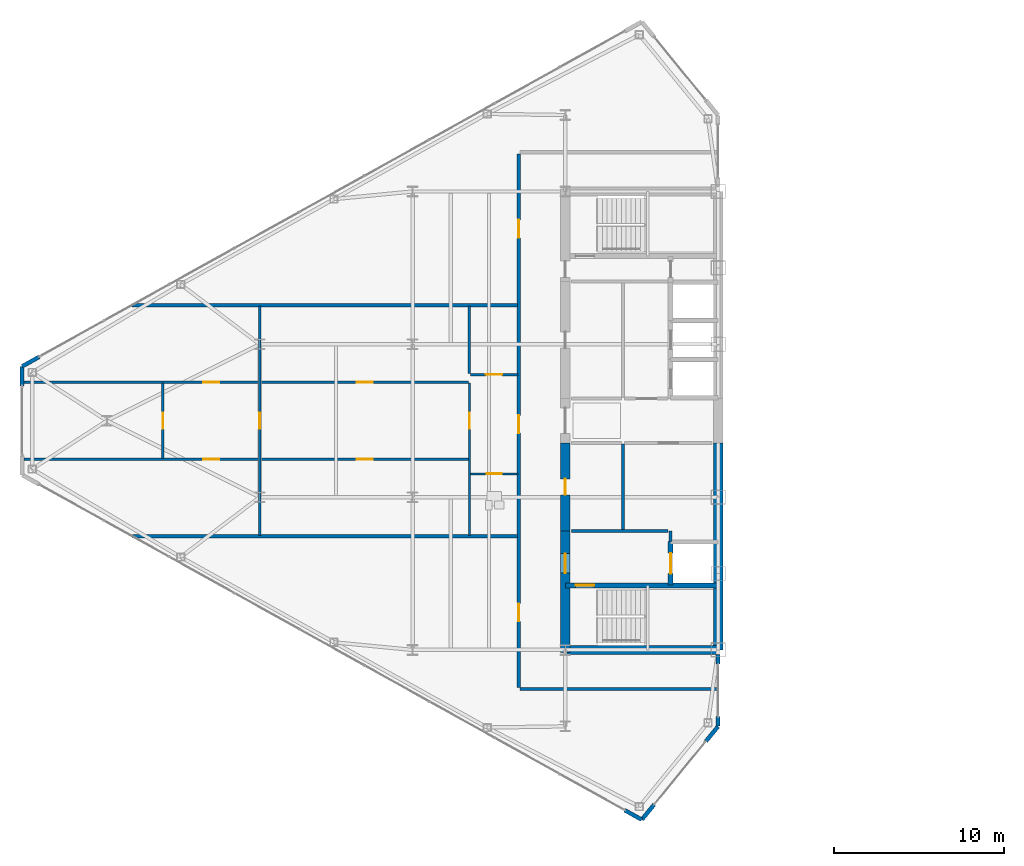
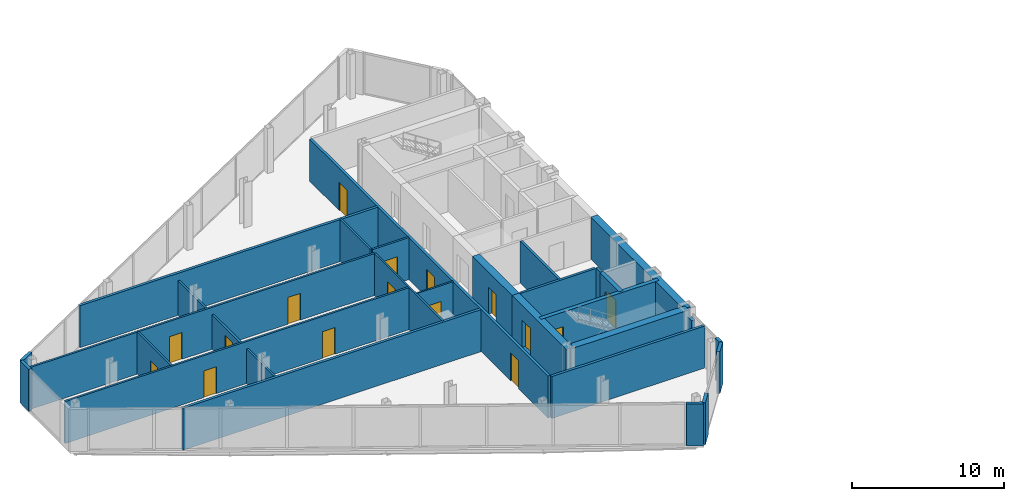
# One storey, part 19 of 25: 28 walls, 16 doors, 16 openings.
"""IFC4 building model written with IfcOpenShell, lengths in metres."""

import ifcopenshell
import ifcopenshell.guid

model = None  # the IFC model being written
_history = None  # IfcOwnerHistory: only IFC2X3 demands one
_inside = {}  # id of a spatial element -> (the spatial element, [elements in it])
_under = {}  # id of a project, library or spatial element -> (it, [spatial elements below it])
_declared = {}  # id of a project -> (the project, [libraries it declares])
_typed = {}  # id of a type object -> (the type object, [elements of that type])
_made_of = {}  # id of a material, layer set ... -> (it, [elements and type objects made of it])


def new_model(schema):
    """Start an empty IFC model of exactly this schema.

    Asked for "IFC4X3", IfcOpenShell would pick the latest addendum, in which some entities
    have other attributes; the version numbers below select the first issue.
    IFC2X3 requires an IfcOwnerHistory on every rooted entity: one is made here for all.
    """
    global model, _history
    if schema == "IFC4X3":
        model = ifcopenshell.file(schema_version=(4, 3, 0, 0))
    else:
        model = ifcopenshell.file(schema=schema)
    _inside.clear()
    _under.clear()
    _declared.clear()
    _typed.clear()
    _made_of.clear()
    _history = None
    if model.schema == "IFC2X3":
        org = make("IfcOrganization", Name="unknown")
        user = make(
            "IfcPersonAndOrganization",
            ThePerson=make("IfcPerson", FamilyName="unknown"),
            TheOrganization=org,
        )
        app = make(
            "IfcApplication",
            ApplicationDeveloper=org,
            Version="unknown",
            ApplicationFullName="unknown",
            ApplicationIdentifier="unknown",
        )
        _history = make(
            "IfcOwnerHistory",
            OwningUser=user,
            OwningApplication=app,
            ChangeAction="ADDED",
            CreationDate=0,
        )
    return model


def make(cls, **values):
    """One entity of the class cls with the attributes given. An attribute that is None is left unset."""
    return model.create_entity(
        cls, **{name: value for name, value in values.items() if value is not None}
    )


def rooted(cls, **values):
    """An entity with a GlobalId (a new one), such as an element, a storey or a relation."""
    return make(cls, GlobalId=ifcopenshell.guid.new(), OwnerHistory=_history, **values)


def si_unit(unit_type, name, prefix=None):
    """IfcSIUnit, for example si_unit("LENGTHUNIT", "METRE", prefix="MILLI")."""
    return make("IfcSIUnit", UnitType=unit_type, Prefix=prefix, Name=name)


def assignment(units):
    """IfcUnitAssignment: the units of a project."""
    return None if units is None else make("IfcUnitAssignment", Units=units)


def point(xyz):
    """IfcCartesianPoint."""
    return None if xyz is None else make("IfcCartesianPoint", Coordinates=xyz)


def direction(xyz):
    """IfcDirection."""
    return None if xyz is None else make("IfcDirection", DirectionRatios=xyz)


def frame(location, z_axis=None, x_axis=None):
    """IfcAxis2Placement3D, a coordinate frame: its origin and axes. An axis left out is left unset."""
    return make(
        "IfcAxis2Placement3D",
        Location=point(location),
        Axis=direction(z_axis),
        RefDirection=direction(x_axis),
    )


def frame_2d(location, x_axis=None):
    """IfcAxis2Placement2D, a coordinate frame in the plane: its origin and x axis."""
    return make(
        "IfcAxis2Placement2D", Location=point(location), RefDirection=direction(x_axis)
    )


def origin():
    """The frame at (0, 0, 0) with its axes left unset."""
    return frame((0.0, 0.0, 0.0))


def place(relative_to, where):
    """IfcLocalPlacement: puts the frame where relative to a parent placement (None: the world)."""
    return make(
        "IfcLocalPlacement", PlacementRelTo=relative_to, RelativePlacement=where
    )


def context(
    kind, dimensions, precision=None, world=None, true_north=None, identifier=None
):
    """IfcGeometricRepresentationContext, for example the 3D "Model" context."""
    return make(
        "IfcGeometricRepresentationContext",
        ContextIdentifier=identifier,
        ContextType=kind,
        CoordinateSpaceDimension=dimensions,
        Precision=precision,
        WorldCoordinateSystem=world,
        TrueNorth=true_north,
    )


def subcontext(parent, identifier, kind, view, scale=None):
    """IfcGeometricRepresentationSubContext, for example "Body" below "Model"."""
    return make(
        "IfcGeometricRepresentationSubContext",
        ContextIdentifier=identifier,
        ContextType=kind,
        ParentContext=parent,
        TargetScale=scale,
        TargetView=view,
    )


def project(units=None, contexts=None):
    """IfcProject with its units and contexts."""
    return rooted(
        "IfcProject",
        Name="project",
        RepresentationContexts=contexts,
        UnitsInContext=assignment(units),
    )


def spatial(cls, under=None, at=None, **own):
    """A site, building, storey or space (cls), placed at a placement, below another one or the project."""
    s = rooted(cls, ObjectPlacement=at, **own)
    if under is not None:
        _under.setdefault(under.id(), (under, []))[1].append(s)
    return s


def profile(cls, at=None, kind="AREA", **sizes):
    """A parametric profile (cls). Its sizes go by their IFC names, for example OverallWidth=200.0."""
    return make(cls, ProfileType=kind, Position=at, **sizes)


def rectangle(**sizes):
    """IfcRectangleProfileDef."""
    return profile("IfcRectangleProfileDef", **sizes)


def extrude(swept, where, along, depth):
    """IfcExtrudedAreaSolid: the profile swept, set in the frame where, extruded along a direction by depth."""
    return make(
        "IfcExtrudedAreaSolid",
        SweptArea=swept,
        Position=where,
        ExtrudedDirection=direction(along),
        Depth=depth,
    )


def shape(context_of_items, identifier, shape_type, items):
    """IfcShapeRepresentation: the items that make up one representation, for example the "Body"."""
    return make(
        "IfcShapeRepresentation",
        ContextOfItems=context_of_items,
        RepresentationIdentifier=identifier,
        RepresentationType=shape_type,
        Items=items,
    )


def source(mapping_origin, context_of_items, identifier, shape_type, items):
    """IfcRepresentationMap: a shape defined once, which mapped items show again and again."""
    return make(
        "IfcRepresentationMap",
        MappingOrigin=mapping_origin,
        MappedRepresentation=shape(context_of_items, identifier, shape_type, items),
    )


def transform(
    local_origin,
    x_axis=None,
    y_axis=None,
    z_axis=None,
    scale=None,
    scale2=None,
    scale3=None,
    uniform=True,
):
    """IfcCartesianTransformationOperator3D, or its non-uniform kind. x_axis, y_axis, z_axis: its Axis1, 2, 3."""
    if uniform:
        return make(
            "IfcCartesianTransformationOperator3D",
            Axis1=direction(x_axis),
            Axis2=direction(y_axis),
            LocalOrigin=point(local_origin),
            Scale=scale,
            Axis3=direction(z_axis),
        )
    return make(
        "IfcCartesianTransformationOperator3DnonUniform",
        Axis1=direction(x_axis),
        Axis2=direction(y_axis),
        LocalOrigin=point(local_origin),
        Scale=scale,
        Axis3=direction(z_axis),
        Scale2=scale2,
        Scale3=scale3,
    )


def mapped(mapping_source, mapping_target):
    """IfcMappedItem: shows the shape of a source again, moved by a transform."""
    return make(
        "IfcMappedItem", MappingSource=mapping_source, MappingTarget=mapping_target
    )


def material(Name=None, Category=None):
    """IfcMaterial."""
    return make("IfcMaterial", Name=Name, Category=Category)


def layer(
    of_material, thickness, ventilated=None, Name=None, Category=None, Priority=None
):
    """IfcMaterialLayer: one layer of a wall or slab, of a material (None: an air gap)."""
    return make(
        "IfcMaterialLayer",
        Material=of_material,
        LayerThickness=thickness,
        IsVentilated=ventilated,
        Name=Name,
        Category=Category,
        Priority=Priority,
    )


def layer_set(layers, Name=None):
    """IfcMaterialLayerSet."""
    return make("IfcMaterialLayerSet", MaterialLayers=layers, LayerSetName=Name)


def made_of(thing, what):
    """Note that an element or type object is made of a material, layer set ...; save() writes the relation."""
    if what is not None:
        _made_of.setdefault(what.id(), (what, []))[1].append(thing)
    return thing


def type_object(cls, material=None, **own):
    """A type object (cls), such as IfcWallType, which elements share."""
    return made_of(rooted(cls, **own), material)


def type_shapes(of_type, sources):
    """Give a type object the sources (RepresentationMaps) that its elements show as mapped items."""
    of_type.RepresentationMaps = sources


def element(
    cls,
    number,
    at=None,
    inside=None,
    cuts=None,
    type_object=None,
    material=None,
    context=None,
    identifier="Body",
    shape_type=None,
    held_by="IfcProductDefinitionShape",
    body=None,
    shapes=None,
    **own,
):
    """One element of the class cls, such as IfcWall. Its Tag is "e" and its number.

    at: its placement. inside: the storey or other place that contains it. cuts: it is an
    opening in that element (IfcRelVoidsElement). A single representation is given by context,
    identifier, shape_type and body (its items); several are given by shapes. held_by: the class
    of the entity that holds the representations. save() writes the other relations.
    """
    e = rooted(cls, Tag="e%d" % number, ObjectPlacement=at, **own)
    if body is not None:
        shapes = [shape(context, identifier, shape_type, body)]
    if shapes is not None:
        e.Representation = make(held_by, Representations=shapes)
    if inside is not None:
        _inside.setdefault(inside.id(), (inside, []))[1].append(e)
    if cuts is not None:
        rooted(
            "IfcRelVoidsElement", RelatingBuildingElement=cuts, RelatedOpeningElement=e
        )
    if type_object is not None:
        _typed.setdefault(type_object.id(), (type_object, []))[1].append(e)
    return made_of(e, material)


def fill(opening, filler):
    """IfcRelFillsElement: the door or window that sits in an opening."""
    return rooted(
        "IfcRelFillsElement",
        RelatingOpeningElement=opening,
        RelatedBuildingElement=filler,
    )


def aggregate(whole, parts):
    """IfcRelAggregates: a whole, such as a stair, and the parts it consists of."""
    return rooted("IfcRelAggregates", RelatingObject=whole, RelatedObjects=parts)


def save(model, path):
    """Write the relations noted so far, then the file.

    IfcRelAggregates (storeys below a building ...), IfcRelContainedInSpatialStructure (elements
    in a storey), IfcRelDefinesByType, IfcRelAssociatesMaterial and IfcRelDeclares: one each for
    every whole, place, type object, material and project.
    """
    for whole, parts in _under.values():
        aggregate(whole, parts)
    for where, things in _inside.values():
        rooted(
            "IfcRelContainedInSpatialStructure",
            RelatedElements=things,
            RelatingStructure=where,
        )
    for kind, things in _typed.values():
        rooted("IfcRelDefinesByType", RelatedObjects=things, RelatingType=kind)
    for what, things in _made_of.values():
        rooted("IfcRelAssociatesMaterial", RelatedObjects=things, RelatingMaterial=what)
    for by, libraries in _declared.values():
        rooted("IfcRelDeclares", RelatingContext=by, RelatedDefinitions=libraries)
    model.write(path)


model = new_model("IFC4")

# Units and contexts
model_context = context("Model", 3, precision=1e-05, world=origin(), true_north=direction((0.0, 1.0)))
body_context = subcontext(model_context, "Body", "Model", "MODEL_VIEW")
ifc_project = project(units=[si_unit("LENGTHUNIT", "METRE"), si_unit("AREAUNIT", "SQUARE_METRE"), si_unit("VOLUMEUNIT", "CUBIC_METRE"), si_unit("PLANEANGLEUNIT", "RADIAN"), si_unit("MASSUNIT", "GRAM", prefix="KILO")], contexts=[model_context])

# Site, building, storey
site_placement = place(None, origin())
site = spatial("IfcSite", under=ifc_project, at=site_placement, CompositionType="ELEMENT")
building_placement = place(site_placement, origin())
building = spatial("IfcBuilding", under=site, at=building_placement, Name="Seokmaru Belvedere", CompositionType="ELEMENT")
storey_placement = place(building_placement, frame((0.0, 0.0, 188.699951171875)))
storey = spatial("IfcBuildingStorey", under=building, at=storey_placement, Name="L50", CompositionType="ELEMENT", Elevation=188.699951171875)

# Wall, openings, doors
ifc_material_1 = material(Name="Fire-Rated Gypsum Shaftwall")
ifc_layer_1 = layer(ifc_material_1, 0.14990234375)
ifc_layer_set_1 = layer_set([ifc_layer_1], Name="Fire-Rated Gypsum Shaftwall")
wall_type_1 = type_object("IfcWallType", Name="Apartment Fire-Acoustic Room Partition 150", PredefinedType="PARTITIONING", material=ifc_layer_set_1)
wall_1_placement = place(storey_placement, frame((-68.375, -2.27001953125, 0.0), z_axis=(0.0, 0.0, 1.0), x_axis=(1.0, 0.0, 0.0)))
wall_1 = element("IfcWall", 1, at=wall_1_placement, inside=storey, type_object=wall_type_1, Name="L50 Interior Partition 008", PredefinedType="PARTITIONING", context=body_context, shape_type="SweptSolid", body=[
    extrude(rectangle(XDim=26.175048828125, YDim=0.14990234375, at=frame_2d((13.08740234375, 0.0))), origin(), (0.0, 0.0, 1.0), 3.380126953125),
])
opening_1_placement = place(wall_1_placement, frame((19.574951171875, 0.0, 0.0)))
opening_1 = element("IfcOpeningElement", 2, at=opening_1_placement, cuts=wall_1, Name="Opening D05", PredefinedType="OPENING", context=body_context, shape_type="SweptSolid", body=[
    extrude(rectangle(XDim=0.949951171875, YDim=2.14990234375, at=frame_2d((0.47509765625, 1.074951171875))), frame((0.0, 0.0849609375, 0.0), z_axis=(0.0, -1.0, 0.0), x_axis=(1.0, 0.0, 0.0)), (0.0, 0.0, 1.0), 0.169921875),
])
opening_2_placement = place(wall_1_placement, frame((10.550048828125, 0.0, 0.0)))
opening_2 = element("IfcOpeningElement", 3, at=opening_2_placement, cuts=wall_1, Name="Opening D05", PredefinedType="OPENING", context=body_context, shape_type="SweptSolid", body=[
    extrude(rectangle(XDim=0.949951171875, YDim=2.14990234375, at=frame_2d((0.47509765625, 1.074951171875))), frame((0.0, 0.0849609375, 0.0), z_axis=(0.0, -1.0, 0.0), x_axis=(1.0, 0.0, 0.0)), (0.0, 0.0, 1.0), 0.169921875),
])
ifc_material_2 = material(Name="Engineered White Oak Timber", Category="wood")
door_type_1 = type_object("IfcDoorType", Name="Apartment Interior Fire-Rated Oak Door 950x2150", OperationType="NOTDEFINED", PredefinedType="DOOR", material=ifc_material_2)
shared_shape_1 = source(origin(), body_context, "Body", "SweptSolid", [
    extrude(rectangle(XDim=0.949951171875, YDim=2.14990234375, at=frame_2d((0.47509765625, 1.074951171875))), frame((0.0, 0.02490234375, 0.0), z_axis=(0.0, -1.0, 0.0), x_axis=(1.0, 0.0, 0.0)), (0.0, 0.0, 1.0), 0.050048828125),
])
type_shapes(door_type_1, [shared_shape_1])
door_1_placement = place(opening_1_placement, origin())
door_1 = element("IfcDoor", 4, at=door_1_placement, inside=storey, type_object=door_type_1, Name="L50 Interior Door 007", OperationType="SINGLE_SWING_RIGHT", OverallHeight=2.14990234375, OverallWidth=0.949951171875, PredefinedType="DOOR", context=body_context, shape_type="MappedRepresentation", body=[
    mapped(shared_shape_1, transform((0.0, 0.0, 0.0), scale=1.0)),
])
fill(opening_1, door_1)
door_2_placement = place(opening_2_placement, origin())
door_2 = element("IfcDoor", 5, at=door_2_placement, inside=storey, type_object=door_type_1, Name="L50 Interior Door 009", OperationType="SINGLE_SWING_LEFT", OverallHeight=2.14990234375, OverallWidth=0.949951171875, PredefinedType="DOOR", context=body_context, shape_type="MappedRepresentation", body=[
    mapped(shared_shape_1, transform((0.0, 0.0, 0.0), scale=1.0)),
])
fill(opening_2, door_2)

wall_2_placement = place(storey_placement, frame((-68.375, 2.27001953125, 0.0), z_axis=(0.0, 0.0, 1.0), x_axis=(1.0, 0.0, 0.0)))
wall_2 = element("IfcWall", 6, at=wall_2_placement, inside=storey, type_object=wall_type_1, Name="L50 Interior Partition 011", PredefinedType="PARTITIONING", context=body_context, shape_type="SweptSolid", body=[
    extrude(rectangle(XDim=26.175048828125, YDim=0.14990234375, at=frame_2d((13.08740234375, 0.0))), origin(), (0.0, 0.0, 1.0), 3.380126953125),
])
opening_3_placement = place(wall_2_placement, frame((19.574951171875, 0.0, 0.0)))
opening_3 = element("IfcOpeningElement", 7, at=opening_3_placement, cuts=wall_2, Name="Opening D05", PredefinedType="OPENING", context=body_context, shape_type="SweptSolid", body=[
    extrude(rectangle(XDim=0.949951171875, YDim=2.14990234375, at=frame_2d((0.47509765625, 1.074951171875))), frame((0.0, 0.0849609375, 0.0), z_axis=(0.0, -1.0, 0.0), x_axis=(1.0, 0.0, 0.0)), (0.0, 0.0, 1.0), 0.169921875),
])
opening_4_placement = place(wall_2_placement, frame((10.550048828125, 0.0, 0.0)))
opening_4 = element("IfcOpeningElement", 8, at=opening_4_placement, cuts=wall_2, Name="Opening D05", PredefinedType="OPENING", context=body_context, shape_type="SweptSolid", body=[
    extrude(rectangle(XDim=0.949951171875, YDim=2.14990234375, at=frame_2d((0.47509765625, 1.074951171875))), frame((0.0, 0.0849609375, 0.0), z_axis=(0.0, -1.0, 0.0), x_axis=(1.0, 0.0, 0.0)), (0.0, 0.0, 1.0), 0.169921875),
])
door_3_placement = place(opening_3_placement, origin())
door_3 = element("IfcDoor", 9, at=door_3_placement, inside=storey, type_object=door_type_1, Name="L50 Interior Door 008", OperationType="SINGLE_SWING_LEFT", OverallHeight=2.14990234375, OverallWidth=0.949951171875, PredefinedType="DOOR", context=body_context, shape_type="MappedRepresentation", body=[
    mapped(shared_shape_1, transform((0.0, 0.0, 0.0), scale=1.0)),
])
fill(opening_3, door_3)
door_4_placement = place(opening_4_placement, origin())
door_4 = element("IfcDoor", 10, at=door_4_placement, inside=storey, type_object=door_type_1, Name="L50 Interior Door 011", OperationType="SINGLE_SWING_RIGHT", OverallHeight=2.14990234375, OverallWidth=0.949951171875, PredefinedType="DOOR", context=body_context, shape_type="MappedRepresentation", body=[
    mapped(shared_shape_1, transform((0.0, 0.0, 0.0), scale=1.0)),
])
fill(opening_4, door_4)

# Wall, opening, door
wall_3_placement = place(storey_placement, frame((-42.10009765625, 2.719970703125, 0.0), z_axis=(0.0, 0.0, 1.0), x_axis=(1.0, 0.0, 0.0)))
wall_3 = element("IfcWall", 11, at=wall_3_placement, inside=storey, type_object=wall_type_1, Name="L50 Interior Partition 012", PredefinedType="PARTITIONING", context=body_context, shape_type="SweptSolid", body=[
    extrude(rectangle(XDim=2.800048828125, YDim=0.14990234375, at=frame_2d((1.39990234375, 0.0))), origin(), (0.0, 0.0, 1.0), 3.380126953125),
])
opening_5_placement = place(wall_3_placement, frame((0.925048828125, 0.0, 0.0)))
opening_5 = element("IfcOpeningElement", 12, at=opening_5_placement, cuts=wall_3, Name="Opening D05", PredefinedType="OPENING", context=body_context, shape_type="SweptSolid", body=[
    extrude(rectangle(XDim=0.949951171875, YDim=2.14990234375, at=frame_2d((0.47509765625, 1.074951171875))), frame((0.0, 0.0849609375, 0.0), z_axis=(0.0, -1.0, 0.0), x_axis=(1.0, 0.0, 0.0)), (0.0, 0.0, 1.0), 0.169921875),
])
door_5_placement = place(opening_5_placement, origin())
door_5 = element("IfcDoor", 13, at=door_5_placement, inside=storey, type_object=door_type_1, Name="L50 Interior Door 004", OperationType="SINGLE_SWING_LEFT", OverallHeight=2.14990234375, OverallWidth=0.949951171875, PredefinedType="DOOR", context=body_context, shape_type="MappedRepresentation", body=[
    mapped(shared_shape_1, transform((0.0, 0.0, 0.0), scale=1.0)),
])
fill(opening_5, door_5)

wall_4_placement = place(storey_placement, frame((-60.199951171875, -2.217041015625, 0.0), z_axis=(0.0, 0.0, 1.0), x_axis=(0.0, 1.0, 0.0)))
wall_4 = element("IfcWall", 14, at=wall_4_placement, inside=storey, type_object=wall_type_1, Name="L50 Interior Partition 017", PredefinedType="PARTITIONING", context=body_context, shape_type="SweptSolid", body=[
    extrude(rectangle(XDim=4.43408203125, YDim=0.14990234375, at=frame_2d((2.217041015625, 0.0))), origin(), (0.0, 0.0, 1.0), 3.380126953125),
])
opening_6_placement = place(wall_4_placement, frame((1.741943359375, 0.0, 0.0)))
opening_6 = element("IfcOpeningElement", 15, at=opening_6_placement, cuts=wall_4, Name="Opening D05", PredefinedType="OPENING", context=body_context, shape_type="SweptSolid", body=[
    extrude(rectangle(XDim=0.949951171875, YDim=2.14990234375, at=frame_2d((0.47509765625, 1.074951171875))), frame((0.0, 0.0849609375, 0.0), z_axis=(0.0, -1.0, 0.0), x_axis=(1.0, 0.0, 0.0)), (0.0, 0.0, 1.0), 0.169921875),
])
door_6_placement = place(opening_6_placement, origin())
door_6 = element("IfcDoor", 16, at=door_6_placement, inside=storey, type_object=door_type_1, Name="L50 Interior Door 010", OperationType="SINGLE_SWING_RIGHT", OverallHeight=2.14990234375, OverallWidth=0.949951171875, PredefinedType="DOOR", context=body_context, shape_type="MappedRepresentation", body=[
    mapped(shared_shape_1, transform((0.0, 0.0, 0.0), scale=1.0)),
])
fill(opening_6, door_6)

wall_5_placement = place(storey_placement, frame((-54.5, -6.75, 0.0), z_axis=(0.0, 0.0, 1.0), x_axis=(0.0, 1.0, 0.0)))
wall_5 = element("IfcWall", 17, at=wall_5_placement, inside=storey, type_object=wall_type_1, Name="L50 Interior Partition 018", PredefinedType="PARTITIONING", context=body_context, shape_type="SweptSolid", body=[
    extrude(rectangle(XDim=13.5, YDim=0.14990234375, at=frame_2d((6.75, 0.0))), origin(), (0.0, 0.0, 1.0), 2.780029296875),
])
opening_7_placement = place(wall_5_placement, frame((6.27490234375, 0.0, 0.0)))
opening_7 = element("IfcOpeningElement", 18, at=opening_7_placement, cuts=wall_5, Name="Opening D05", PredefinedType="OPENING", context=body_context, shape_type="SweptSolid", body=[
    extrude(rectangle(XDim=0.949951171875, YDim=2.14990234375, at=frame_2d((0.47509765625, 1.074951171875))), frame((0.0, 0.0849609375, 0.0), z_axis=(0.0, -1.0, 0.0), x_axis=(1.0, 0.0, 0.0)), (0.0, 0.0, 1.0), 0.169921875),
])
door_7_placement = place(opening_7_placement, origin())
door_7 = element("IfcDoor", 19, at=door_7_placement, inside=storey, type_object=door_type_1, Name="L50 Interior Door 006", OperationType="SINGLE_SWING_RIGHT", OverallHeight=2.14990234375, OverallWidth=0.949951171875, PredefinedType="DOOR", context=body_context, shape_type="MappedRepresentation", body=[
    mapped(shared_shape_1, transform((0.0, 0.0, 0.0), scale=1.0)),
])
fill(opening_7, door_7)

# Walls
wall_6_placement = place(storey_placement, frame((-42.14990234375, 2.77197265625, 0.0), z_axis=(0.0, 0.0, 1.0), x_axis=(0.0, 1.0, 0.0)))
element("IfcWall", 20, at=wall_6_placement, inside=storey, type_object=wall_type_1, Name="L50 Interior Partition 020", PredefinedType="PARTITIONING", context=body_context, shape_type="SweptSolid", body=[
    extrude(rectangle(XDim=3.97802734375, YDim=0.14990234375, at=frame_2d((1.989013671875, 0.0))), origin(), (0.0, 0.0, 1.0), 3.380126953125),
])
ifc_layer_2 = layer(ifc_material_1, 0.179931640625)
ifc_layer_set_2 = layer_set([ifc_layer_2], Name="Fire-Rated Gypsum Shaftwall")
wall_type_2 = type_object("IfcWallType", Name="Core Service Fire Partition 180", PredefinedType="PARTITIONING", material=ifc_layer_set_2)
wall_7_placement = place(storey_placement, frame((-36.14990234375, -6.5, 0.0), z_axis=(0.0, 0.0, 1.0), x_axis=(1.0, 0.0, 0.0)))
element("IfcWall", 21, at=wall_7_placement, inside=storey, type_object=wall_type_2, Name="L50 West Firefighting Lobby Partition", PredefinedType="PARTITIONING", context=body_context, shape_type="SweptSolid", body=[
    extrude(rectangle(XDim=5.699951171875, YDim=0.179931640625, at=frame_2d((2.85009765625, 0.0))), origin(), (0.0, 0.0, 1.0), 3.380126953125),
])
wall_8_placement = place(storey_placement, frame((-30.300048828125, -7.1201171875, 0.0), z_axis=(0.0, 0.0, 1.0), x_axis=(0.0, 1.0, 0.0)))
element("IfcWall", 22, at=wall_8_placement, inside=storey, type_object=wall_type_2, Name="L50 West Firefighting Lobby East Closure Wall", PredefinedType="PARTITIONING", context=body_context, shape_type="SweptSolid", body=[
    extrude(rectangle(XDim=0.6201171875, YDim=0.179931640625, at=frame_2d((0.31005859375, 0.0))), origin(), (0.0, 0.0, 1.0), 3.380126953125),
])
wall_9_placement = place(storey_placement, frame((-33.10009765625, -6.419921875, 0.0), z_axis=(0.0, 0.0, 1.0), x_axis=(0.0, 1.0, 0.0)))
element("IfcWall", 23, at=wall_9_placement, inside=storey, type_object=wall_type_2, Name="L50 West South Core Service Back Wall", PredefinedType="PARTITIONING", context=body_context, shape_type="SweptSolid", body=[
    extrude(rectangle(XDim=5.0400390625, YDim=0.179931640625, at=frame_2d((2.52001953125, 0.0))), origin(), (0.0, 0.0, 1.0), 3.380126953125),
])
ifc_layer_3 = layer(ifc_material_1, 0.199951171875)
ifc_layer_set_3 = layer_set([ifc_layer_3], Name="Fire-Rated Gypsum Shaftwall")
wall_type_3 = type_object("IfcWallType", Name="Inter-Tenancy Fire Compartment Partition 200", PredefinedType="PARTITIONING", material=ifc_layer_set_3)
wall_10_placement = place(storey_placement, frame((-39.1650390625, -15.800048828125, 0.0), z_axis=(0.0, 0.0, 1.0), x_axis=(1.0, 0.0, 0.0)))
element("IfcWall", 24, at=wall_10_placement, inside=storey, type_object=wall_type_3, Name="L50 Interior Partition 001", PredefinedType="PARTITIONING", context=body_context, shape_type="SweptSolid", body=[
    extrude(rectangle(XDim=11.6650390625, YDim=0.199951171875, at=frame_2d((5.83251953125, 0.0))), origin(), (0.0, 0.0, 1.0), 3.380126953125),
])
for number, where, z_axis, x_axis, name in (
    (25, (-62.037109375, -6.800048828125, 0.0), (0.0, 0.0, 1.0), (1.0, 0.0, 0.0), "L50 Interior Partition 004"),
    (26, (-62.037109375, 6.800048828125, 0.0), (0.0, 0.0, 1.0), (1.0, 0.0, 0.0), "L50 Interior Partition 014"),
):
    element("IfcWall", number, at=place(storey_placement, frame(where, z_axis=z_axis, x_axis=x_axis)), inside=storey, type_object=wall_type_3, Name=name, PredefinedType="PARTITIONING", context=body_context, shape_type="SweptSolid", body=[
        extrude(rectangle(XDim=22.70703125, YDim=0.199951171875, at=frame_2d((11.353515625, 0.0))), origin(), (0.0, 0.0, 1.0), 3.380126953125),
    ])

# Wall, openings, doors
wall_11_placement = place(storey_placement, frame((-39.25, -15.715087890625, 0.0), z_axis=(0.0, 0.0, 1.0), x_axis=(0.0, 1.0, 0.0)))
wall_11 = element("IfcWall", 27, at=wall_11_placement, inside=storey, type_object=wall_type_3, Name="L50 Interior Partition 021", PredefinedType="PARTITIONING", context=body_context, shape_type="SweptSolid", body=[
    extrude(rectangle(XDim=31.43017578125, YDim=0.199951171875, at=frame_2d((15.715087890625, 0.0))), origin(), (0.0, 0.0, 1.0), 3.380126953125),
])
opening_8_placement = place(wall_11_placement, frame((3.889892578125, 0.0, 0.0)))
opening_8 = element("IfcOpeningElement", 28, at=opening_8_placement, cuts=wall_11, Name="Opening D03", PredefinedType="OPENING", context=body_context, shape_type="SweptSolid", body=[
    extrude(rectangle(XDim=1.050048828125, YDim=2.25, at=frame_2d((0.52490234375, 1.125))), frame((0.0, 0.10986328125, 0.0), z_axis=(0.0, -1.0, 0.0), x_axis=(1.0, 0.0, 0.0)), (0.0, 0.0, 1.0), 0.219970703125),
])
opening_9_placement = place(wall_11_placement, frame((14.986083984375, 0.0, 0.0)))
opening_9 = element("IfcOpeningElement", 29, at=opening_9_placement, cuts=wall_11, Name="Opening D03", PredefinedType="OPENING", context=body_context, shape_type="SweptSolid", body=[
    extrude(rectangle(XDim=1.050048828125, YDim=2.25, at=frame_2d((0.52490234375, 1.125))), frame((0.0, 0.10986328125, 0.0), z_axis=(0.0, -1.0, 0.0), x_axis=(1.0, 0.0, 0.0)), (0.0, 0.0, 1.0), 0.219970703125),
])
opening_10_placement = place(wall_11_placement, frame((26.489990234375, 0.0, 0.0)))
opening_10 = element("IfcOpeningElement", 30, at=opening_10_placement, cuts=wall_11, Name="Opening D03", PredefinedType="OPENING", context=body_context, shape_type="SweptSolid", body=[
    extrude(rectangle(XDim=1.050048828125, YDim=2.25, at=frame_2d((0.52490234375, 1.125))), frame((0.0, 0.10986328125, 0.0), z_axis=(0.0, -1.0, 0.0), x_axis=(1.0, 0.0, 0.0)), (0.0, 0.0, 1.0), 0.219970703125),
])
ifc_material_3 = material(Name="Fire-Rated Steel Leaf", Category="steel")
door_type_2 = type_object("IfcDoorType", Name="Apartment Entrance Fire Door 1050x2250", OperationType="NOTDEFINED", PredefinedType="DOOR", material=ifc_material_3)
shared_shape_2 = source(origin(), body_context, "Body", "SweptSolid", [
    extrude(rectangle(XDim=1.050048828125, YDim=2.25, at=frame_2d((0.52490234375, 1.125))), frame((0.0, 0.02490234375, 0.0), z_axis=(0.0, -1.0, 0.0), x_axis=(1.0, 0.0, 0.0)), (0.0, 0.0, 1.0), 0.050048828125),
])
type_shapes(door_type_2, [shared_shape_2])
door_8_placement = place(opening_8_placement, origin())
door_8 = element("IfcDoor", 31, at=door_8_placement, inside=storey, type_object=door_type_2, Name="L50 Interior Door 001", OperationType="SINGLE_SWING_RIGHT", OverallHeight=2.25, OverallWidth=1.050048828125, PredefinedType="DOOR", context=body_context, shape_type="MappedRepresentation", body=[
    mapped(shared_shape_2, transform((0.0, 0.0, 0.0), scale=1.0)),
])
fill(opening_8, door_8)
door_9_placement = place(opening_9_placement, origin())
door_9 = element("IfcDoor", 32, at=door_9_placement, inside=storey, type_object=door_type_2, Name="L50 Interior Door 002", OperationType="SINGLE_SWING_LEFT", OverallHeight=2.25, OverallWidth=1.050048828125, PredefinedType="DOOR", context=body_context, shape_type="MappedRepresentation", body=[
    mapped(shared_shape_2, transform((0.0, 0.0, 0.0), scale=1.0)),
])
fill(opening_9, door_9)
door_10_placement = place(opening_10_placement, origin())
door_10 = element("IfcDoor", 33, at=door_10_placement, inside=storey, type_object=door_type_2, Name="L50 Interior Door 012", OperationType="SINGLE_SWING_RIGHT", OverallHeight=2.25, OverallWidth=1.050048828125, PredefinedType="DOOR", context=body_context, shape_type="MappedRepresentation", body=[
    mapped(shared_shape_2, transform((0.0, 0.0, 0.0), scale=1.0)),
])
fill(opening_10, door_10)

# Wall, opening, door
ifc_material_4 = material(Name="Concrete C50 (50 MPa)", Category="concrete")
ifc_layer_4 = layer(ifc_material_4, 0.300048828125)
ifc_layer_set_4 = layer_set([ifc_layer_4], Name="Concrete C50 (50 MPa)")
wall_type_4 = type_object("IfcWallType", Name="Internal Core Stair and Hoistway Wall 300", PredefinedType="SHEAR", material=ifc_layer_set_4)
wall_12_placement = place(storey_placement, frame((-36.5, -9.699951171875, 0.0), z_axis=(0.0, 0.0, 1.0), x_axis=(1.0, 0.0, 0.0)))
wall_12 = element("IfcWall", 34, at=wall_12_placement, inside=storey, type_object=wall_type_4, Name="L50 West Stair ST-1 Enclosure Wall", PredefinedType="SHEAR", context=body_context, shape_type="SweptSolid", body=[
    extrude(rectangle(XDim=9.0, YDim=0.300048828125, at=frame_2d((4.5, 0.0))), origin(), (0.0, 0.0, 1.0), 3.380126953125),
])
opening_11_placement = place(wall_12_placement, frame((0.60009765625, 0.0, 0.0)))
opening_11 = element("IfcOpeningElement", 35, at=opening_11_placement, cuts=wall_12, Name="Opening D01", PredefinedType="OPENING", context=body_context, shape_type="SweptSolid", body=[
    extrude(rectangle(XDim=1.10009765625, YDim=2.199951171875, at=frame_2d((0.550048828125, 1.10009765625))), frame((0.0, 0.16015625, 0.0), z_axis=(0.0, -1.0, 0.0), x_axis=(1.0, 0.0, 0.0)), (0.0, 0.0, 1.0), 0.320068359375),
])
door_type_3 = type_object("IfcDoorType", Name="Special Escape Stair Smokeproof Fire Door 1100x2200", OperationType="NOTDEFINED", PredefinedType="DOOR", material=ifc_material_3)
shared_shape_3 = source(origin(), body_context, "Body", "SweptSolid", [
    extrude(rectangle(XDim=1.10009765625, YDim=2.199951171875, at=frame_2d((0.550048828125, 1.10009765625))), frame((0.0, 0.02490234375, 0.0), z_axis=(0.0, -1.0, 0.0), x_axis=(1.0, 0.0, 0.0)), (0.0, 0.0, 1.0), 0.050048828125),
])
type_shapes(door_type_3, [shared_shape_3])
door_11_placement = place(opening_11_placement, frame((1.10009765625, 0.0, 0.0), z_axis=(0.0, 0.0, 1.0), x_axis=(-1.0, 0.0, 0.0)))
door_11 = element("IfcDoor", 36, at=door_11_placement, inside=storey, type_object=door_type_3, Name="L50 West Special Escape Stair ST-1 Door", OperationType="SINGLE_SWING_LEFT", OverallHeight=2.199951171875, OverallWidth=1.10009765625, PredefinedType="DOOR", context=body_context, shape_type="MappedRepresentation", body=[
    mapped(shared_shape_3, transform((0.0, 0.0, 0.0), scale=1.0)),
])
fill(opening_11, door_11)

wall_13_placement = place(storey_placement, frame((-30.300048828125, -9.679931640625, 0.0), z_axis=(0.0, 0.0, 1.0), x_axis=(0.0, 1.0, 0.0)))
wall_13 = element("IfcWall", 37, at=wall_13_placement, inside=storey, type_object=wall_type_4, Name="L50 West Firefighting Lift Shaft Front Wall", PredefinedType="SHEAR", context=body_context, shape_type="SweptSolid", body=[
    extrude(rectangle(XDim=2.559814453125, YDim=0.300048828125, at=frame_2d((1.27978515625, 0.0))), origin(), (0.0, 0.0, 1.0), 3.380126953125),
])
opening_12_placement = place(wall_13_placement, frame((0.679931640625, 0.0, 0.0)))
opening_12 = element("IfcOpeningElement", 38, at=opening_12_placement, cuts=wall_13, Name="Opening LD2", PredefinedType="OPENING", context=body_context, shape_type="SweptSolid", body=[
    extrude(rectangle(XDim=1.199951171875, YDim=2.25, at=frame_2d((0.60009765625, 1.125))), frame((0.0, 0.16015625, 0.0), z_axis=(0.0, -1.0, 0.0), x_axis=(1.0, 0.0, 0.0)), (0.0, 0.0, 1.0), 0.320068359375),
])
ifc_material_5 = material(Name="Stainless Steel 316", Category="steel")
door_type_4 = type_object("IfcDoorType", Name="Firefighting Lift Sliding Landing Door 1200x2250", OperationType="DOUBLE_DOOR_SLIDING", PredefinedType="DOOR", material=ifc_material_5)
shared_shape_4 = source(origin(), body_context, "Body", "SweptSolid", [
    extrude(rectangle(XDim=1.199951171875, YDim=2.25, at=frame_2d((0.60009765625, 1.125))), frame((0.0, 0.02490234375, 0.0), z_axis=(0.0, -1.0, 0.0), x_axis=(1.0, 0.0, 0.0)), (0.0, 0.0, 1.0), 0.050048828125),
])
type_shapes(door_type_4, [shared_shape_4])
door_12_placement = place(opening_12_placement, origin())
door_12 = element("IfcDoor", 39, at=door_12_placement, inside=storey, type_object=door_type_4, Name="L50 West Firefighting Lift Landing Door", OperationType="DOUBLE_DOOR_SLIDING", OverallHeight=2.25, OverallWidth=1.199951171875, PredefinedType="DOOR", context=body_context, shape_type="MappedRepresentation", body=[
    mapped(shared_shape_4, transform((0.0, 0.0, 0.0), scale=1.0)),
])
fill(opening_12, door_12)

# Walls
ifc_layer_5 = layer(ifc_material_4, 0.550048828125)
ifc_layer_set_5 = layer_set([ifc_layer_5], Name="Concrete C50 (50 MPa)")
wall_type_5 = type_object("IfcWallType", Name="Mid-High Reinforced Concrete Core Wall 550", PredefinedType="SHEAR", material=ifc_layer_set_5)
wall_14_placement = place(storey_placement, frame((-27.5, -13.5, 0.0), z_axis=(0.0, 0.0, 1.0), x_axis=(0.0, 1.0, 0.0)))
element("IfcWall", 40, at=wall_14_placement, inside=storey, type_object=wall_type_5, Name="L50 West Portal Spine Core Wall South", PredefinedType="SHEAR", context=body_context, shape_type="SweptSolid", body=[
    extrude(rectangle(XDim=12.199951171875, YDim=0.550048828125, at=frame_2d((6.10009765625, 0.0))), origin(), (0.0, 0.0, 1.0), 3.380126953125),
])
wall_15_placement = place(storey_placement, frame((-36.5, -13.5, 0.0), z_axis=(0.0, 0.0, 1.0), x_axis=(1.0, 0.0, 0.0)))
element("IfcWall", 41, at=wall_15_placement, inside=storey, type_object=wall_type_5, Name="L50 West South Core Wall", PredefinedType="SHEAR", context=body_context, shape_type="SweptSolid", body=[
    extrude(rectangle(XDim=9.0, YDim=0.550048828125, at=frame_2d((4.5, 0.0))), origin(), (0.0, 0.0, 1.0), 3.380126953125),
])

# Wall, opening, door
wall_16_placement = place(storey_placement, frame((-36.5, -13.64990234375, 0.0), z_axis=(0.0, 0.0, 1.0), x_axis=(0.0, 1.0, 0.0)))
wall_16 = element("IfcWall", 42, at=wall_16_placement, inside=storey, type_object=wall_type_5, Name="L50 West West Core Wall FF", PredefinedType="SHEAR", context=body_context, shape_type="SweptSolid", body=[
    extrude(rectangle(XDim=7.14990234375, YDim=0.550048828125, at=frame_2d((3.574951171875, 0.0))), origin(), (0.0, 0.0, 1.0), 3.380126953125),
])
opening_13_placement = place(wall_16_placement, frame((4.675048828125, 0.0, 0.0)))
opening_13 = element("IfcOpeningElement", 43, at=opening_13_placement, cuts=wall_16, Name="Opening D02", PredefinedType="OPENING", context=body_context, shape_type="SweptSolid", body=[
    extrude(rectangle(XDim=1.14990234375, YDim=2.199951171875, at=frame_2d((0.574951171875, 1.10009765625))), frame((0.0, 0.28515625, 0.0), z_axis=(0.0, -1.0, 0.0), x_axis=(1.0, 0.0, 0.0)), (0.0, 0.0, 1.0), 0.570068359375),
])
door_type_5 = type_object("IfcDoorType", Name="Lobby and Vestibule Fire Door 1150x2200", OperationType="NOTDEFINED", PredefinedType="DOOR", material=ifc_material_3)
shared_shape_5 = source(origin(), body_context, "Body", "SweptSolid", [
    extrude(rectangle(XDim=1.14990234375, YDim=2.199951171875, at=frame_2d((0.574951171875, 1.10009765625))), frame((0.0, 0.02490234375, 0.0), z_axis=(0.0, -1.0, 0.0), x_axis=(1.0, 0.0, 0.0)), (0.0, 0.0, 1.0), 0.050048828125),
])
type_shapes(door_type_5, [shared_shape_5])
door_13_placement = place(opening_13_placement, frame((1.14990234375, 0.0, 0.0), z_axis=(0.0, 0.0, 1.0), x_axis=(-1.0, 0.0, 0.0)))
door_13 = element("IfcDoor", 44, at=door_13_placement, inside=storey, type_object=door_type_5, Name="L50 West Firefighting Lobby Door", OperationType="SINGLE_SWING_LEFT", OverallHeight=2.199951171875, OverallWidth=1.14990234375, PredefinedType="DOOR", context=body_context, shape_type="MappedRepresentation", body=[
    mapped(shared_shape_5, transform((0.0, 0.0, 0.0), scale=1.0)),
])
fill(opening_13, door_13)

wall_17_placement = place(storey_placement, frame((-36.5, -6.5, 0.0), z_axis=(0.0, 0.0, 1.0), x_axis=(0.0, 1.0, 0.0)))
wall_17 = element("IfcWall", 45, at=wall_17_placement, inside=storey, type_object=wall_type_5, Name="L50 West West Core Wall CS1", PredefinedType="SHEAR", context=body_context, shape_type="SweptSolid", body=[
    extrude(rectangle(XDim=5.199951171875, YDim=0.550048828125, at=frame_2d((2.60009765625, 0.0))), origin(), (0.0, 0.0, 1.0), 3.380126953125),
])
opening_14_placement = place(wall_17_placement, frame((2.125, 0.0, 0.0)))
opening_14 = element("IfcOpeningElement", 46, at=opening_14_placement, cuts=wall_17, Name="Opening D04", PredefinedType="OPENING", context=body_context, shape_type="SweptSolid", body=[
    extrude(rectangle(XDim=0.949951171875, YDim=2.14990234375, at=frame_2d((0.47509765625, 1.074951171875))), frame((0.0, 0.28515625, 0.0), z_axis=(0.0, -1.0, 0.0), x_axis=(1.0, 0.0, 0.0)), (0.0, 0.0, 1.0), 0.570068359375),
])
door_type_6 = type_object("IfcDoorType", Name="Core Service Room Fire Door 950x2150", OperationType="NOTDEFINED", PredefinedType="DOOR", material=ifc_material_3)
shared_shape_6 = source(origin(), body_context, "Body", "SweptSolid", [
    extrude(rectangle(XDim=0.949951171875, YDim=2.14990234375, at=frame_2d((0.47509765625, 1.074951171875))), frame((0.0, 0.02490234375, 0.0), z_axis=(0.0, -1.0, 0.0), x_axis=(1.0, 0.0, 0.0)), (0.0, 0.0, 1.0), 0.050048828125),
])
type_shapes(door_type_6, [shared_shape_6])
door_14_placement = place(opening_14_placement, origin())
door_14 = element("IfcDoor", 47, at=door_14_placement, inside=storey, type_object=door_type_6, Name="L50 West Core Service Room Door 1", OperationType="SINGLE_SWING_LEFT", OverallHeight=2.14990234375, OverallWidth=0.949951171875, PredefinedType="DOOR", context=body_context, shape_type="MappedRepresentation", body=[
    mapped(shared_shape_6, transform((0.0, 0.0, 0.0), scale=1.0)),
])
fill(opening_14, door_14)

ifc_layer_6 = layer(ifc_material_1, 0.1298828125)
ifc_layer_set_6 = layer_set([ifc_layer_6], Name="Fire-Rated Gypsum Shaftwall")
wall_type_6 = type_object("IfcWallType", Name="Moisture-Resistant Fire-Rated Bathroom Partition 130", PredefinedType="PARTITIONING", material=ifc_layer_set_6)
wall_18_placement = place(storey_placement, frame((-42.10009765625, -3.1298828125, 0.0), z_axis=(0.0, 0.0, 1.0), x_axis=(1.0, 0.0, 0.0)))
wall_18 = element("IfcWall", 48, at=wall_18_placement, inside=storey, type_object=wall_type_6, Name="L50 Interior Partition 007", PredefinedType="PARTITIONING", context=body_context, shape_type="SweptSolid", body=[
    extrude(rectangle(XDim=2.800048828125, YDim=0.1298828125, at=frame_2d((1.39990234375, 0.0))), origin(), (0.0, 0.0, 1.0), 3.380126953125),
])
opening_15_placement = place(wall_18_placement, frame((0.9599609375, 0.0, 0.0)))
opening_15 = element("IfcOpeningElement", 49, at=opening_15_placement, cuts=wall_18, Name="Opening D06", PredefinedType="OPENING", context=body_context, shape_type="SweptSolid", body=[
    extrude(rectangle(XDim=0.8798828125, YDim=2.10009765625, at=frame_2d((0.43994140625, 1.050048828125))), frame((0.0, 0.074951171875, 0.0), z_axis=(0.0, -1.0, 0.0), x_axis=(1.0, 0.0, 0.0)), (0.0, 0.0, 1.0), 0.14990234375),
])
door_type_7 = type_object("IfcDoorType", Name="Bathroom and Restroom Fire-Rated Door 880x2100", OperationType="NOTDEFINED", PredefinedType="DOOR", material=ifc_material_2)
shared_shape_7 = source(origin(), body_context, "Body", "SweptSolid", [
    extrude(rectangle(XDim=0.8798828125, YDim=2.10009765625, at=frame_2d((0.43994140625, 1.050048828125))), frame((0.0, 0.02490234375, 0.0), z_axis=(0.0, -1.0, 0.0), x_axis=(1.0, 0.0, 0.0)), (0.0, 0.0, 1.0), 0.050048828125),
])
type_shapes(door_type_7, [shared_shape_7])
door_15_placement = place(opening_15_placement, origin())
door_15 = element("IfcDoor", 50, at=door_15_placement, inside=storey, type_object=door_type_7, Name="L50 Interior Door 003", OperationType="SINGLE_SWING_LEFT", OverallHeight=2.10009765625, OverallWidth=0.8798828125, PredefinedType="DOOR", context=body_context, shape_type="MappedRepresentation", body=[
    mapped(shared_shape_7, transform((0.0, 0.0, 0.0), scale=1.0)),
])
fill(opening_15, door_15)

wall_19_placement = place(storey_placement, frame((-42.14990234375, -6.75, 0.0), z_axis=(0.0, 0.0, 1.0), x_axis=(0.0, 1.0, 0.0)))
wall_19 = element("IfcWall", 51, at=wall_19_placement, inside=storey, type_object=wall_type_6, Name="L50 Interior Partition 019", PredefinedType="PARTITIONING", context=body_context, shape_type="SweptSolid", body=[
    extrude(rectangle(XDim=8.967041015625, YDim=0.1298828125, at=frame_2d((4.4833984375, 0.0))), origin(), (0.0, 0.0, 1.0), 3.380126953125),
])
opening_16_placement = place(wall_19_placement, frame((6.27490234375, 0.0, 0.0)))
opening_16 = element("IfcOpeningElement", 52, at=opening_16_placement, cuts=wall_19, Name="Opening D05", PredefinedType="OPENING", context=body_context, shape_type="SweptSolid", body=[
    extrude(rectangle(XDim=0.949951171875, YDim=2.14990234375, at=frame_2d((0.47509765625, 1.074951171875))), frame((0.0, 0.074951171875, 0.0), z_axis=(0.0, -1.0, 0.0), x_axis=(1.0, 0.0, 0.0)), (0.0, 0.0, 1.0), 0.14990234375),
])
door_16_placement = place(opening_16_placement, origin())
door_16 = element("IfcDoor", 53, at=door_16_placement, inside=storey, type_object=door_type_1, Name="L50 Interior Door 005", OperationType="SINGLE_SWING_RIGHT", OverallHeight=2.14990234375, OverallWidth=0.949951171875, PredefinedType="DOOR", context=body_context, shape_type="MappedRepresentation", body=[
    mapped(shared_shape_1, transform((0.0, 0.0, 0.0), scale=1.0)),
])
fill(opening_16, door_16)

# Walls
ifc_material_6 = material(Name="Anodised Bronze Aluminium", Category="aluminium")
ifc_layer_7 = layer(ifc_material_6, 0.239990234375)
ifc_layer_set_7 = layer_set([ifc_layer_7], Name="Anodised Bronze Aluminium")
wall_type_7 = type_object("IfcWallType", Name="Tower Corner Spandrel Closure Wall 240", PredefinedType="SOLIDWALL", material=ifc_layer_set_7)
wall_20_placement = place(storey_placement, frame((-27.5, -17.97998046875, 0.0), z_axis=(0.0, 0.0, 1.0), x_axis=(0.0, 1.0, 0.0)))
element("IfcWall", 54, at=wall_20_placement, inside=storey, type_object=wall_type_7, Name="L50 W Spine Closure Pier 1A", PredefinedType="SOLIDWALL", context=body_context, shape_type="SweptSolid", body=[
    extrude(rectangle(XDim=0.550048828125, YDim=0.239990234375, at=frame_2d((0.27490234375, 0.0))), origin(), (0.0, 0.0, 1.0), 3.380126953125),
])
wall_21_placement = place(storey_placement, frame((-27.5, -14.330078125, 0.0), z_axis=(0.0, 0.0, 1.0), x_axis=(0.0, 1.0, 0.0)))
element("IfcWall", 55, at=wall_21_placement, inside=storey, type_object=wall_type_7, Name="L50 W Spine Closure Pier 1B", PredefinedType="SOLIDWALL", context=body_context, shape_type="SweptSolid", body=[
    extrude(rectangle(XDim=0.550048828125, YDim=0.239990234375, at=frame_2d((0.27490234375, 0.0))), origin(), (0.0, 0.0, 1.0), 2.880126953125),
])
for number, where, z_axis, x_axis, name in (
    (56, (-67.4951171875, 3.759033203125, 0.0), (0.0, 0.0, 1.0), (-0.87385402111, -0.486188389196, 0.0), "L50 W Corner Closure Pier 3B"),
    (57, (-68.5, 3.18994140625, 0.0), (0.0, 0.0, 1.0), (0.0, -1.0, 0.0), "L50 W Corner Closure Pier 4A"),
    (58, (-33.0048828125, -22.94091796875, 0.0), (0.0, 0.0, 1.0), (0.87385402111, -0.486188389196, 0.0), "L50 W Corner Closure Pier 5B"),
):
    element("IfcWall", number, at=place(storey_placement, frame(where, z_axis=z_axis, x_axis=x_axis)), inside=storey, type_object=wall_type_7, Name=name, PredefinedType="SOLIDWALL", context=body_context, shape_type="SweptSolid", body=[
        extrude(rectangle(XDim=1.139892578125, YDim=0.239990234375, at=frame_2d((0.56982421875, 0.0))), origin(), (0.0, 0.0, 1.0), 3.380126953125),
    ])
for number, where, z_axis, x_axis, name in (
    (59, (-31.99365234375, -23.4921875, 0.0), (0.0, 0.0, 1.0), (0.633249451965, 0.77394775766, 0.0), "L50 W Corner Closure Pier 6A"),
    (60, (-28.228271484375, -18.89013671875, 0.0), (0.0, 0.0, 1.0), (0.633249451965, 0.77394775766, 0.0), "L50 W Corner Closure Pier 6B"),
):
    element("IfcWall", number, at=place(storey_placement, frame(where, z_axis=z_axis, x_axis=x_axis)), inside=storey, type_object=wall_type_7, Name=name, PredefinedType="SOLIDWALL", context=body_context, shape_type="SweptSolid", body=[
        extrude(rectangle(XDim=1.14013671875, YDim=0.239990234375, at=frame_2d((0.570068359375, 0.0))), origin(), (0.0, 0.0, 1.0), 3.380126953125),
    ])

save(model, "model.ifc")
